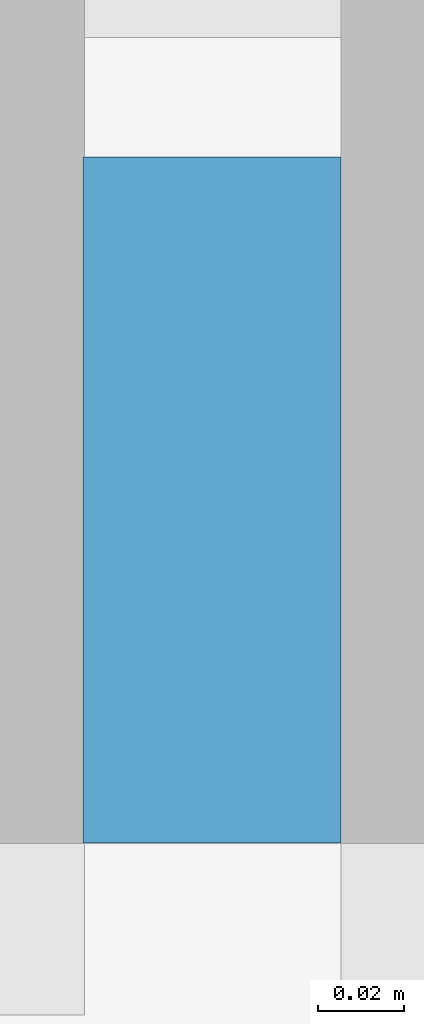
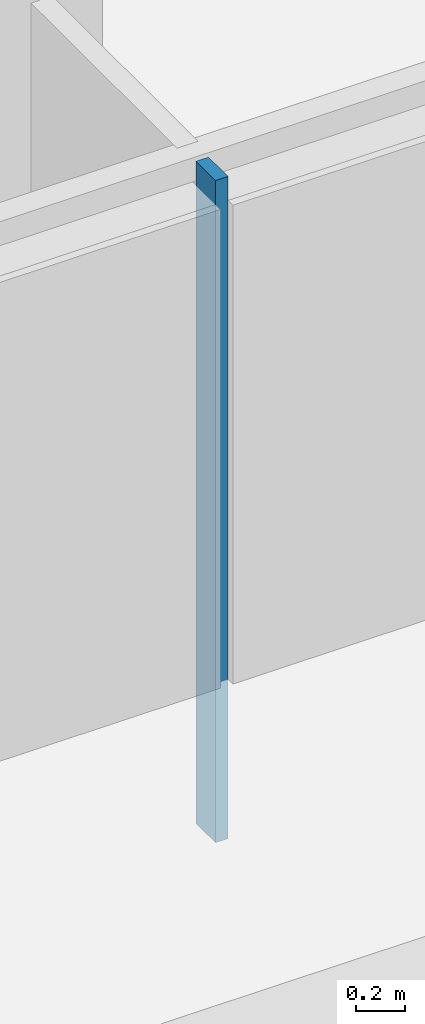
# One storey, part 7 of 31: 1 member, 1 element without a shape of its own.
"""IFC4 building model written with IfcOpenShell, lengths in metres."""

from ifc_helpers import new_model, si_unit, direction, frame, origin, origin_2d, place, context, subcontext, project, spatial, rectangle, extrude, material, material_profile, profile_set, type_object, element, aggregate, save


model = new_model("IFC4")

# Units and contexts
model_context = context("Model", 3, precision=1e-05, world=origin(), true_north=direction((0.0, 1.0)))
body_context = subcontext(model_context, "Body", "Model", "MODEL_VIEW")
ifc_project = project(units=[si_unit("LENGTHUNIT", "METRE"), si_unit("AREAUNIT", "SQUARE_METRE"), si_unit("VOLUMEUNIT", "CUBIC_METRE"), si_unit("PLANEANGLEUNIT", "RADIAN"), si_unit("MASSUNIT", "GRAM", prefix="KILO")], contexts=[model_context])

# Site, building, storey
site_placement = place(None, origin())
site = spatial("IfcSite", under=ifc_project, at=site_placement, CompositionType="ELEMENT")
building_placement = place(site_placement, origin())
building = spatial("IfcBuilding", under=site, at=building_placement, Name="Saffron Gate Tower", CompositionType="ELEMENT")
storey_placement = place(building_placement, frame((0.0, 0.0, 205.5)))
storey = spatial("IfcBuildingStorey", under=building, at=storey_placement, Name="L49", CompositionType="ELEMENT", Elevation=205.5)

# Curtain wall, member
ifc_material = material(Name="Aluminium, bronze anodised", Category="aluminium")
curtain_wall_type = type_object("IfcCurtainWallType", Name="CWS1 curtain wall front facade", PredefinedType="NOTDEFINED", material=ifc_material)
curtain_wall_placement = place(storey_placement, origin())
curtain_wall = element("IfcCurtainWall", 1, at=curtain_wall_placement, inside=storey, type_object=curtain_wall_type, Name="CWS1 run 1", PredefinedType="NOTDEFINED")
ifc_material_profile = material_profile(ifc_material, rectangle(XDim=0.159912109375, YDim=0.06005859375, at=origin_2d()))
ifc_profile_set = profile_set([ifc_material_profile], Name="Aluminium, bronze anodised")
member_type = type_object("IfcMemberType", Name="CWS1 mullion 60x160", PredefinedType="MULLION", material=ifc_profile_set)
member_placement = place(storey_placement, frame((83.39990234375, 30.080078125, 0.0), z_axis=(0.0, 0.0, 1.0), x_axis=(0.0, 1.0, 0.0)))
member = element("IfcMember", 2, at=member_placement, type_object=member_type, Name="CWS1 mullion 5", PredefinedType="MULLION", context=body_context, shape_type="SweptSolid", body=[
    extrude(rectangle(XDim=0.159912109375, YDim=0.06005859375, at=origin_2d()), origin(), (0.0, 0.0, 1.0), 3.320068359375),
])
aggregate(curtain_wall, [member])

save(model, "model.ifc")
